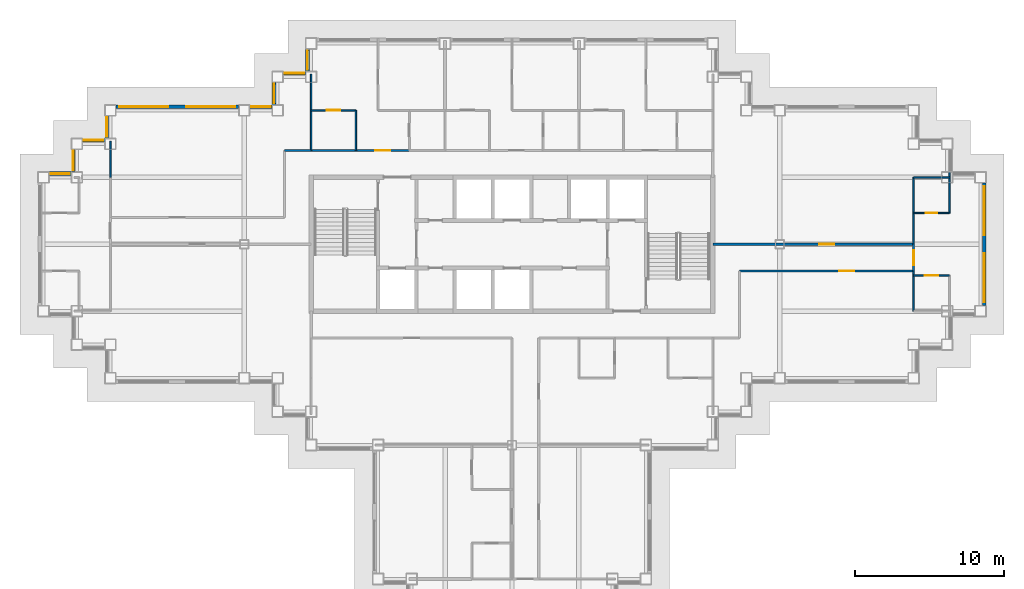
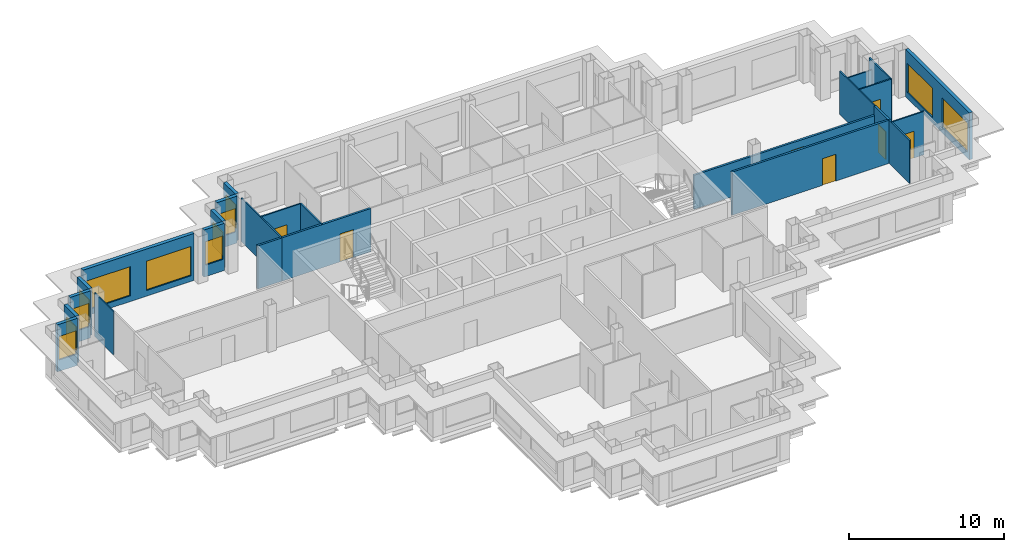
# One storey, part 7 of 13: 25 walls, 12 windows, 7 doors, 19 openings.
"""IFC4 building model written with IfcOpenShell, lengths in metres."""

from ifc_helpers import new_model, si_unit, direction, frame, frame_2d, origin, place, context, subcontext, project, spatial, rectangle, extrude, material, layer, layer_set, type_object, element, fill, save


model = new_model("IFC4")

# Units and contexts
model_context = context("Model", 3, precision=1e-05, world=origin(), true_north=direction((0.0, 1.0)))
body_context = subcontext(model_context, "Body", "Model", "MODEL_VIEW")
ifc_project = project(units=[si_unit("LENGTHUNIT", "METRE"), si_unit("AREAUNIT", "SQUARE_METRE"), si_unit("VOLUMEUNIT", "CUBIC_METRE"), si_unit("PLANEANGLEUNIT", "RADIAN"), si_unit("MASSUNIT", "GRAM", prefix="KILO")], contexts=[model_context])

# Site, building, storey
site_placement = place(None, origin())
site = spatial("IfcSite", under=ifc_project, at=site_placement, CompositionType="ELEMENT")
building_placement = place(site_placement, origin())
building = spatial("IfcBuilding", under=site, at=building_placement, Name="Caravel Reach Hotel and Residences", CompositionType="ELEMENT")
storey_placement = place(building_placement, frame((0.0, 0.0, 169.10009765625)))
storey = spatial("IfcBuildingStorey", under=building, at=storey_placement, Name="L42", CompositionType="ELEMENT", Elevation=169.10009765625)

# Wall, opening, door
ifc_material_1 = material(Name="Gypsum board on steel stud", Category="steel")
ifc_layer_1 = layer(ifc_material_1, 0.10009765625)
ifc_layer_set_1 = layer_set([ifc_layer_1], Name="Bathroom pod wall 100 mm")
wall_type_1 = type_object("IfcWallType", Name="Bathroom pod wall 100 mm", PredefinedType="PARTITIONING", material=ifc_layer_set_1)
wall_1_placement = place(storey_placement, frame((58.5, 29.10009765625, 0.0), z_axis=(0.0, 0.0, 1.0), x_axis=(1.0, 0.0, 0.0)))
wall_1 = element("IfcWall", 1, at=wall_1_placement, inside=storey, type_object=wall_type_1, Name="L42 wall w082", PredefinedType="PARTITIONING", context=body_context, shape_type="SweptSolid", body=[
    extrude(rectangle(XDim=2.39990234375, YDim=0.10009765625, at=frame_2d((1.199951171875, 0.0))), origin(), (0.0, 0.0, 1.0), 3.39990234375),
])
opening_1_placement = place(wall_1_placement, frame((0.800048828125, 0.0, 0.0)))
opening_1 = element("IfcOpeningElement", 2, at=opening_1_placement, cuts=wall_1, Name="Opening D42-044", PredefinedType="OPENING", context=body_context, shape_type="SweptSolid", body=[
    extrude(rectangle(XDim=0.800048828125, YDim=2.10009765625, at=frame_2d((0.39990234375, 1.050048828125))), frame((0.0, 0.06005859375, 0.0), z_axis=(0.0, -1.0, 0.0), x_axis=(1.0, 0.0, 0.0)), (0.0, 0.0, 1.0), 0.1201171875),
])
ifc_material_2 = material(Name="Timber and steel door leaf", Category="steel")
door_type_1 = type_object("IfcDoorType", Name="Bathroom door 800 x 2100", OperationType="SINGLE_SWING_LEFT", PredefinedType="DOOR", material=ifc_material_2)
door_1_placement = place(opening_1_placement, origin())
door_1 = element("IfcDoor", 3, at=door_1_placement, inside=storey, type_object=door_type_1, Name="door D42-044", OperationType="SINGLE_SWING_RIGHT", OverallHeight=2.10009765625, OverallWidth=0.800048828125, PredefinedType="DOOR", context=body_context, shape_type="SweptSolid", body=[
    extrude(rectangle(XDim=0.800048828125, YDim=2.10009765625, at=frame_2d((0.39990234375, 1.050048828125))), frame((0.0, 0.02490234375, 0.0), z_axis=(0.0, -1.0, 0.0), x_axis=(1.0, 0.0, 0.0)), (0.0, 0.0, 1.0), 0.050048828125),
])
fill(opening_1, door_1)

# Wall
wall_2_placement = place(storey_placement, frame((60.89990234375, 29.10009765625, 0.0), z_axis=(0.0, 0.0, 1.0), x_axis=(0.0, 1.0, 0.0)))
element("IfcWall", 4, at=wall_2_placement, inside=storey, type_object=wall_type_1, Name="L42 wall w104", PredefinedType="PARTITIONING", context=body_context, shape_type="SweptSolid", body=[
    extrude(rectangle(XDim=2.77490234375, YDim=0.10009765625, at=frame_2d((1.387451171875, 0.0))), origin(), (0.0, 0.0, 1.0), 3.39990234375),
])

# Wall, opening, door
ifc_material_3 = material(Name="Gypsum board on steel stud, fire-rated", Category="steel")
ifc_layer_2 = layer(ifc_material_3, 0.14990234375)
ifc_layer_set_2 = layer_set([ifc_layer_2], Name="Corridor wall 150 mm EI 60")
wall_type_2 = type_object("IfcWallType", Name="Corridor wall 150 mm EI 60", PredefinedType="PARTITIONING", material=ifc_layer_set_2)
wall_3_placement = place(storey_placement, frame((46.801025390625, 25.199951171875, 0.0), z_axis=(0.0, 0.0, 1.0), x_axis=(1.0, 0.0, 0.0)))
wall_3 = element("IfcWall", 5, at=wall_3_placement, inside=storey, type_object=wall_type_2, Name="L42 wall w006", PredefinedType="PARTITIONING", context=body_context, shape_type="SweptSolid", body=[
    extrude(rectangle(XDim=11.698974609375, YDim=0.14990234375, at=frame_2d((5.849609375, 0.0))), origin(), (0.0, 0.0, 1.0), 3.39990234375),
])
opening_2_placement = place(wall_3_placement, frame((6.697998046875, 0.0, 0.0)))
opening_2 = element("IfcOpeningElement", 6, at=opening_2_placement, cuts=wall_3, Name="Opening D42-031", PredefinedType="OPENING", context=body_context, shape_type="SweptSolid", body=[
    extrude(rectangle(XDim=1.0, YDim=2.10009765625, at=frame_2d((0.5, 1.050048828125))), frame((0.0, 0.0849609375, 0.0), z_axis=(0.0, -1.0, 0.0), x_axis=(1.0, 0.0, 0.0)), (0.0, 0.0, 1.0), 0.169921875),
])
ifc_material_4 = material(Name="Steel fire door leaf", Category="steel")
door_type_2 = type_object("IfcDoorType", Name="Fire door 1000 x 2100 EI 60", OperationType="SINGLE_SWING_LEFT", PredefinedType="DOOR", material=ifc_material_4)
door_2_placement = place(opening_2_placement, origin())
door_2 = element("IfcDoor", 7, at=door_2_placement, inside=storey, type_object=door_type_2, Name="door D42-031", OperationType="SINGLE_SWING_RIGHT", OverallHeight=2.10009765625, OverallWidth=1.0, PredefinedType="DOOR", context=body_context, shape_type="SweptSolid", body=[
    extrude(rectangle(XDim=1.0, YDim=2.10009765625, at=frame_2d((0.5, 1.050048828125))), frame((0.0, 0.02490234375, 0.0), z_axis=(0.0, -1.0, 0.0), x_axis=(1.0, 0.0, 0.0)), (0.0, 0.0, 1.0), 0.050048828125),
])
fill(opening_2, door_2)

wall_4_placement = place(storey_placement, frame((45.0, 27.0, 0.0), z_axis=(0.0, 0.0, 1.0), x_axis=(1.0, 0.0, 0.0)))
wall_4 = element("IfcWall", 8, at=wall_4_placement, inside=storey, type_object=wall_type_2, Name="L42 wall w009", PredefinedType="PARTITIONING", context=body_context, shape_type="SweptSolid", body=[
    extrude(rectangle(XDim=13.5, YDim=0.14990234375, at=frame_2d((6.75, 0.0))), origin(), (0.0, 0.0, 1.0), 2.679931640625),
])
opening_3_placement = place(wall_4_placement, frame((7.14990234375, 0.0, 0.0)))
opening_3 = element("IfcOpeningElement", 9, at=opening_3_placement, cuts=wall_4, Name="Opening D42-030", PredefinedType="OPENING", context=body_context, shape_type="SweptSolid", body=[
    extrude(rectangle(XDim=1.0, YDim=2.10009765625, at=frame_2d((0.5, 1.050048828125))), frame((0.0, 0.0849609375, 0.0), z_axis=(0.0, -1.0, 0.0), x_axis=(1.0, 0.0, 0.0)), (0.0, 0.0, 1.0), 0.169921875),
])
door_3_placement = place(opening_3_placement, origin())
door_3 = element("IfcDoor", 10, at=door_3_placement, inside=storey, type_object=door_type_2, Name="door D42-030", OperationType="SINGLE_SWING_RIGHT", OverallHeight=2.10009765625, OverallWidth=1.0, PredefinedType="DOOR", context=body_context, shape_type="SweptSolid", body=[
    extrude(rectangle(XDim=1.0, YDim=2.10009765625, at=frame_2d((0.5, 1.050048828125))), frame((0.0, 0.02490234375, 0.0), z_axis=(0.0, -1.0, 0.0), x_axis=(1.0, 0.0, 0.0)), (0.0, 0.0, 1.0), 0.050048828125),
])
fill(opening_3, door_3)

wall_5_placement = place(storey_placement, frame((18.0, 33.300048828125, 0.0), z_axis=(0.0, 0.0, 1.0), x_axis=(1.0, 0.0, 0.0)))
wall_5 = element("IfcWall", 11, at=wall_5_placement, inside=storey, type_object=wall_type_2, Name="L42 wall w013", PredefinedType="PARTITIONING", context=body_context, shape_type="SweptSolid", body=[
    extrude(rectangle(XDim=6.60009765625, YDim=0.14990234375, at=frame_2d((3.300048828125, 0.0))), origin(), (0.0, 0.0, 1.0), 3.39990234375),
])
opening_4_placement = place(wall_5_placement, frame((4.300048828125, 0.0, 0.0)))
opening_4 = element("IfcOpeningElement", 12, at=opening_4_placement, cuts=wall_5, Name="Opening D42-016", PredefinedType="OPENING", context=body_context, shape_type="SweptSolid", body=[
    extrude(rectangle(XDim=1.0, YDim=2.199951171875, at=frame_2d((0.5, 1.10009765625))), frame((0.0, 0.0849609375, 0.0), z_axis=(0.0, -1.0, 0.0), x_axis=(1.0, 0.0, 0.0)), (0.0, 0.0, 1.0), 0.169921875),
])
ifc_material_5 = material(Name="Steel fire door leaf", Category="steel")
door_type_3 = type_object("IfcDoorType", Name="Flat entrance door 1000 x 2200 EI 60", OperationType="SINGLE_SWING_LEFT", PredefinedType="DOOR", material=ifc_material_5)
door_4_placement = place(opening_4_placement, origin())
door_4 = element("IfcDoor", 13, at=door_4_placement, inside=storey, type_object=door_type_3, Name="door D42-016", OperationType="SINGLE_SWING_LEFT", OverallHeight=2.199951171875, OverallWidth=1.0, PredefinedType="DOOR", context=body_context, shape_type="SweptSolid", body=[
    extrude(rectangle(XDim=1.0, YDim=2.199951171875, at=frame_2d((0.5, 1.10009765625))), frame((0.0, 0.02490234375, 0.0), z_axis=(0.0, -1.0, 0.0), x_axis=(1.0, 0.0, 0.0)), (0.0, 0.0, 1.0), 0.050048828125),
])
fill(opening_4, door_4)

# Wall
wall_6_placement = place(storey_placement, frame((16.199951171875, 33.300048828125, 0.0), z_axis=(0.0, 0.0, 1.0), x_axis=(1.0, 0.0, 0.0)))
element("IfcWall", 14, at=wall_6_placement, inside=storey, type_object=wall_type_2, Name="L42 wall w018", PredefinedType="PARTITIONING", context=body_context, shape_type="SweptSolid", body=[
    extrude(rectangle(XDim=1.799072265625, YDim=0.14990234375, at=frame_2d((0.8994140625, 0.0))), origin(), (0.0, 0.0, 1.0), 3.39990234375),
])

# Wall, opening, door
wall_7_placement = place(storey_placement, frame((58.5, 25.199951171875, 0.0), z_axis=(0.0, 0.0, 1.0), x_axis=(0.0, 1.0, 0.0)))
wall_7 = element("IfcWall", 15, at=wall_7_placement, inside=storey, type_object=wall_type_2, Name="L42 wall w030", PredefinedType="PARTITIONING", context=body_context, shape_type="SweptSolid", body=[
    extrude(rectangle(XDim=1.800048828125, YDim=0.14990234375, at=frame_2d((0.89990234375, 0.0))), origin(), (0.0, 0.0, 1.0), 3.39990234375),
])
opening_5_placement = place(wall_7_placement, frame((0.39990234375, 0.0, 0.0)))
opening_5 = element("IfcOpeningElement", 16, at=opening_5_placement, cuts=wall_7, Name="Opening D42-043", PredefinedType="OPENING", context=body_context, shape_type="SweptSolid", body=[
    extrude(rectangle(XDim=1.0, YDim=2.199951171875, at=frame_2d((0.5, 1.10009765625))), frame((0.0, 0.0849609375, 0.0), z_axis=(0.0, -1.0, 0.0), x_axis=(1.0, 0.0, 0.0)), (0.0, 0.0, 1.0), 0.169921875),
])
door_5_placement = place(opening_5_placement, origin())
door_5 = element("IfcDoor", 17, at=door_5_placement, inside=storey, type_object=door_type_3, Name="door D42-043", OperationType="SINGLE_SWING_RIGHT", OverallHeight=2.199951171875, OverallWidth=1.0, PredefinedType="DOOR", context=body_context, shape_type="SweptSolid", body=[
    extrude(rectangle(XDim=1.0, YDim=2.199951171875, at=frame_2d((0.5, 1.10009765625))), frame((0.0, 0.02490234375, 0.0), z_axis=(0.0, -1.0, 0.0), x_axis=(1.0, 0.0, 0.0)), (0.0, 0.0, 1.0), 0.050048828125),
])
fill(opening_5, door_5)

# Wall, openings, windows
ifc_material_6 = material(Name="Insulated rainscreen wall, aluminium cladding", Category="aluminium")
ifc_layer_3 = layer(ifc_material_6, 0.25)
ifc_layer_set_3 = layer_set([ifc_layer_3], Name="EW1 Tower rainscreen wall")
wall_type_3 = type_object("IfcWallType", Name="EW1 Tower rainscreen wall", PredefinedType="SOLIDWALL", material=ifc_layer_set_3)
wall_8_placement = place(storey_placement, frame((63.25, 22.875, 0.0), z_axis=(0.0, 0.0, 1.0), x_axis=(0.0, 1.0, 0.0)))
wall_8 = element("IfcWall", 18, at=wall_8_placement, inside=storey, type_object=wall_type_3, Name="External wall L42 E20.1", PredefinedType="SOLIDWALL", context=body_context, shape_type="SweptSolid", body=[
    extrude(rectangle(XDim=8.25, YDim=0.25, at=frame_2d((4.125, 0.0))), origin(), (0.0, 0.0, 1.0), 3.699951171875),
])
opening_6_placement = place(wall_8_placement, frame((0.22509765625, 0.0, 0.449951171875)))
opening_6 = element("IfcOpeningElement", 19, at=opening_6_placement, cuts=wall_8, Name="Opening WN15", PredefinedType="OPENING", context=body_context, shape_type="SweptSolid", body=[
    extrude(rectangle(XDim=3.300048828125, YDim=2.300048828125, at=frame_2d((1.64990234375, 1.14990234375))), frame((0.0, 0.135009765625, 0.0), z_axis=(0.0, -1.0, 0.0), x_axis=(1.0, 0.0, 0.0)), (0.0, 0.0, 1.0), 0.27001953125),
])
opening_7_placement = place(wall_8_placement, frame((4.72509765625, 0.0, 0.449951171875)))
opening_7 = element("IfcOpeningElement", 20, at=opening_7_placement, cuts=wall_8, Name="Opening WN15", PredefinedType="OPENING", context=body_context, shape_type="SweptSolid", body=[
    extrude(rectangle(XDim=3.300048828125, YDim=2.300048828125, at=frame_2d((1.64990234375, 1.14990234375))), frame((0.0, 0.135009765625, 0.0), z_axis=(0.0, -1.0, 0.0), x_axis=(1.0, 0.0, 0.0)), (0.0, 0.0, 1.0), 0.27001953125),
])
ifc_material_7 = material(Name="Dark low-e glazing in black aluminium frame", Category="aluminium")
window_type_1 = type_object("IfcWindowType", Name="Residence living window 3300 x 2300", PartitioningType="SINGLE_PANEL", PredefinedType="WINDOW", material=ifc_material_7)
window_1_placement = place(opening_6_placement, origin())
window_1 = element("IfcWindow", 21, at=window_1_placement, inside=storey, type_object=window_type_1, Name="Window L42 E20.1.1", OverallHeight=2.300048828125, OverallWidth=3.300048828125, PartitioningType="SINGLE_PANEL", PredefinedType="WINDOW", context=body_context, shape_type="SweptSolid", body=[
    extrude(rectangle(XDim=3.300048828125, YDim=2.300048828125, at=frame_2d((1.64990234375, 1.14990234375))), frame((0.0, 0.030029296875, 0.0), z_axis=(0.0, -1.0, 0.0), x_axis=(1.0, 0.0, 0.0)), (0.0, 0.0, 1.0), 0.06005859375),
])
fill(opening_6, window_1)
window_2_placement = place(opening_7_placement, origin())
window_2 = element("IfcWindow", 22, at=window_2_placement, inside=storey, type_object=window_type_1, Name="Window L42 E20.1.2", OverallHeight=2.300048828125, OverallWidth=3.300048828125, PartitioningType="SINGLE_PANEL", PredefinedType="WINDOW", context=body_context, shape_type="SweptSolid", body=[
    extrude(rectangle(XDim=3.300048828125, YDim=2.300048828125, at=frame_2d((1.64990234375, 1.14990234375))), frame((0.0, 0.030029296875, 0.0), z_axis=(0.0, -1.0, 0.0), x_axis=(1.0, 0.0, 0.0)), (0.0, 0.0, 1.0), 0.06005859375),
])
fill(opening_7, window_2)

# Wall, opening, window
wall_9_placement = place(storey_placement, frame((17.75, 40.125, 0.0), z_axis=(0.0, 0.0, 1.0), x_axis=(0.0, -1.0, 0.0)))
wall_9 = element("IfcWall", 23, at=wall_9_placement, inside=storey, type_object=wall_type_3, Name="External wall L42 W30.1", PredefinedType="SOLIDWALL", context=body_context, shape_type="SweptSolid", body=[
    extrude(rectangle(XDim=1.5, YDim=0.25, at=frame_2d((0.75, 0.0))), origin(), (0.0, 0.0, 1.0), 3.699951171875),
])
opening_8_placement = place(wall_9_placement, frame((0.10009765625, 0.0, 0.89990234375)))
opening_8 = element("IfcOpeningElement", 24, at=opening_8_placement, cuts=wall_9, Name="Opening WN16", PredefinedType="OPENING", context=body_context, shape_type="SweptSolid", body=[
    extrude(rectangle(XDim=1.300048828125, YDim=1.85009765625, at=frame_2d((0.64990234375, 0.925048828125))), frame((0.0, 0.135009765625, 0.0), z_axis=(0.0, -1.0, 0.0), x_axis=(1.0, 0.0, 0.0)), (0.0, 0.0, 1.0), 0.27001953125),
])
ifc_material_8 = material(Name="Dark low-e glazing in black aluminium frame", Category="aluminium")
window_type_2 = type_object("IfcWindowType", Name="Residence bedroom window 1300 x 1850", PartitioningType="SINGLE_PANEL", PredefinedType="WINDOW", material=ifc_material_8)
window_3_placement = place(opening_8_placement, origin())
window_3 = element("IfcWindow", 25, at=window_3_placement, inside=storey, type_object=window_type_2, Name="Window L42 W30.1.1", OverallHeight=1.85009765625, OverallWidth=1.300048828125, PartitioningType="SINGLE_PANEL", PredefinedType="WINDOW", context=body_context, shape_type="SweptSolid", body=[
    extrude(rectangle(XDim=1.300048828125, YDim=1.85009765625, at=frame_2d((0.64990234375, 0.925048828125))), frame((0.0, 0.030029296875, 0.0), z_axis=(0.0, -1.0, 0.0), x_axis=(1.0, 0.0, 0.0)), (0.0, 0.0, 1.0), 0.06005859375),
])
fill(opening_8, window_3)

wall_10_placement = place(storey_placement, frame((17.625, 38.5, 0.0), z_axis=(0.0, 0.0, 1.0), x_axis=(-1.0, 0.0, 0.0)))
wall_10 = element("IfcWall", 26, at=wall_10_placement, inside=storey, type_object=wall_type_3, Name="External wall L42 N31.1", PredefinedType="SOLIDWALL", context=body_context, shape_type="SweptSolid", body=[
    extrude(rectangle(XDim=1.5, YDim=0.25, at=frame_2d((0.75, 0.0))), origin(), (0.0, 0.0, 1.0), 3.699951171875),
])
opening_9_placement = place(wall_10_placement, frame((0.10009765625, 0.0, 0.89990234375)))
opening_9 = element("IfcOpeningElement", 27, at=opening_9_placement, cuts=wall_10, Name="Opening WN16", PredefinedType="OPENING", context=body_context, shape_type="SweptSolid", body=[
    extrude(rectangle(XDim=1.300048828125, YDim=1.85009765625, at=frame_2d((0.64990234375, 0.925048828125))), frame((0.0, 0.135009765625, 0.0), z_axis=(0.0, -1.0, 0.0), x_axis=(1.0, 0.0, 0.0)), (0.0, 0.0, 1.0), 0.27001953125),
])
window_4_placement = place(opening_9_placement, origin())
window_4 = element("IfcWindow", 28, at=window_4_placement, inside=storey, type_object=window_type_2, Name="Window L42 N31.1.1", OverallHeight=1.85009765625, OverallWidth=1.300048828125, PartitioningType="SINGLE_PANEL", PredefinedType="WINDOW", context=body_context, shape_type="SweptSolid", body=[
    extrude(rectangle(XDim=1.300048828125, YDim=1.85009765625, at=frame_2d((0.64990234375, 0.925048828125))), frame((0.0, 0.030029296875, 0.0), z_axis=(0.0, -1.0, 0.0), x_axis=(1.0, 0.0, 0.0)), (0.0, 0.0, 1.0), 0.06005859375),
])
fill(opening_9, window_4)

wall_11_placement = place(storey_placement, frame((15.5, 37.875, 0.0), z_axis=(0.0, 0.0, 1.0), x_axis=(0.0, -1.0, 0.0)))
wall_11 = element("IfcWall", 29, at=wall_11_placement, inside=storey, type_object=wall_type_3, Name="External wall L42 W32.1", PredefinedType="SOLIDWALL", context=body_context, shape_type="SweptSolid", body=[
    extrude(rectangle(XDim=1.5, YDim=0.25, at=frame_2d((0.75, 0.0))), origin(), (0.0, 0.0, 1.0), 3.699951171875),
])
opening_10_placement = place(wall_11_placement, frame((0.10009765625, 0.0, 0.89990234375)))
opening_10 = element("IfcOpeningElement", 30, at=opening_10_placement, cuts=wall_11, Name="Opening WN16", PredefinedType="OPENING", context=body_context, shape_type="SweptSolid", body=[
    extrude(rectangle(XDim=1.300048828125, YDim=1.85009765625, at=frame_2d((0.64990234375, 0.925048828125))), frame((0.0, 0.135009765625, 0.0), z_axis=(0.0, -1.0, 0.0), x_axis=(1.0, 0.0, 0.0)), (0.0, 0.0, 1.0), 0.27001953125),
])
window_5_placement = place(opening_10_placement, origin())
window_5 = element("IfcWindow", 31, at=window_5_placement, inside=storey, type_object=window_type_2, Name="Window L42 W32.1.1", OverallHeight=1.85009765625, OverallWidth=1.300048828125, PartitioningType="SINGLE_PANEL", PredefinedType="WINDOW", context=body_context, shape_type="SweptSolid", body=[
    extrude(rectangle(XDim=1.300048828125, YDim=1.85009765625, at=frame_2d((0.64990234375, 0.925048828125))), frame((0.0, 0.030029296875, 0.0), z_axis=(0.0, -1.0, 0.0), x_axis=(1.0, 0.0, 0.0)), (0.0, 0.0, 1.0), 0.06005859375),
])
fill(opening_10, window_5)

wall_12_placement = place(storey_placement, frame((15.375, 36.25, 0.0), z_axis=(0.0, 0.0, 1.0), x_axis=(-1.0, 0.0, 0.0)))
wall_12 = element("IfcWall", 32, at=wall_12_placement, inside=storey, type_object=wall_type_3, Name="External wall L42 N33.1", PredefinedType="SOLIDWALL", context=body_context, shape_type="SweptSolid", body=[
    extrude(rectangle(XDim=1.5, YDim=0.25, at=frame_2d((0.75, 0.0))), origin(), (0.0, 0.0, 1.0), 3.699951171875),
])
opening_11_placement = place(wall_12_placement, frame((0.10009765625, 0.0, 0.89990234375)))
opening_11 = element("IfcOpeningElement", 33, at=opening_11_placement, cuts=wall_12, Name="Opening WN16", PredefinedType="OPENING", context=body_context, shape_type="SweptSolid", body=[
    extrude(rectangle(XDim=1.300048828125, YDim=1.85009765625, at=frame_2d((0.64990234375, 0.925048828125))), frame((0.0, 0.135009765625, 0.0), z_axis=(0.0, -1.0, 0.0), x_axis=(1.0, 0.0, 0.0)), (0.0, 0.0, 1.0), 0.27001953125),
])
window_6_placement = place(opening_11_placement, origin())
window_6 = element("IfcWindow", 34, at=window_6_placement, inside=storey, type_object=window_type_2, Name="Window L42 N33.1.1", OverallHeight=1.85009765625, OverallWidth=1.300048828125, PartitioningType="SINGLE_PANEL", PredefinedType="WINDOW", context=body_context, shape_type="SweptSolid", body=[
    extrude(rectangle(XDim=1.300048828125, YDim=1.85009765625, at=frame_2d((0.64990234375, 0.925048828125))), frame((0.0, 0.030029296875, 0.0), z_axis=(0.0, -1.0, 0.0), x_axis=(1.0, 0.0, 0.0)), (0.0, 0.0, 1.0), 0.06005859375),
])
fill(opening_11, window_6)

# Wall, openings, windows
wall_13_placement = place(storey_placement, frame((13.125, 36.25, 0.0), z_axis=(0.0, 0.0, 1.0), x_axis=(-1.0, 0.0, 0.0)))
wall_13 = element("IfcWall", 35, at=wall_13_placement, inside=storey, type_object=wall_type_3, Name="External wall L42 N33.2", PredefinedType="SOLIDWALL", context=body_context, shape_type="SweptSolid", body=[
    extrude(rectangle(XDim=8.25, YDim=0.25, at=frame_2d((4.125, 0.0))), origin(), (0.0, 0.0, 1.0), 3.699951171875),
])
opening_12_placement = place(wall_13_placement, frame((0.22509765625, 0.0, 0.449951171875)))
opening_12 = element("IfcOpeningElement", 36, at=opening_12_placement, cuts=wall_13, Name="Opening WN15", PredefinedType="OPENING", context=body_context, shape_type="SweptSolid", body=[
    extrude(rectangle(XDim=3.300048828125, YDim=2.300048828125, at=frame_2d((1.64990234375, 1.14990234375))), frame((0.0, 0.135009765625, 0.0), z_axis=(0.0, -1.0, 0.0), x_axis=(1.0, 0.0, 0.0)), (0.0, 0.0, 1.0), 0.27001953125),
])
opening_13_placement = place(wall_13_placement, frame((4.72509765625, 0.0, 0.449951171875)))
opening_13 = element("IfcOpeningElement", 37, at=opening_13_placement, cuts=wall_13, Name="Opening WN15", PredefinedType="OPENING", context=body_context, shape_type="SweptSolid", body=[
    extrude(rectangle(XDim=3.300048828125, YDim=2.300048828125, at=frame_2d((1.64990234375, 1.14990234375))), frame((0.0, 0.135009765625, 0.0), z_axis=(0.0, -1.0, 0.0), x_axis=(1.0, 0.0, 0.0)), (0.0, 0.0, 1.0), 0.27001953125),
])
window_7_placement = place(opening_12_placement, origin())
window_7 = element("IfcWindow", 38, at=window_7_placement, inside=storey, type_object=window_type_1, Name="Window L42 N33.2.1", OverallHeight=2.300048828125, OverallWidth=3.300048828125, PartitioningType="SINGLE_PANEL", PredefinedType="WINDOW", context=body_context, shape_type="SweptSolid", body=[
    extrude(rectangle(XDim=3.300048828125, YDim=2.300048828125, at=frame_2d((1.64990234375, 1.14990234375))), frame((0.0, 0.030029296875, 0.0), z_axis=(0.0, -1.0, 0.0), x_axis=(1.0, 0.0, 0.0)), (0.0, 0.0, 1.0), 0.06005859375),
])
fill(opening_12, window_7)
window_8_placement = place(opening_13_placement, origin())
window_8 = element("IfcWindow", 39, at=window_8_placement, inside=storey, type_object=window_type_1, Name="Window L42 N33.2.2", OverallHeight=2.300048828125, OverallWidth=3.300048828125, PartitioningType="SINGLE_PANEL", PredefinedType="WINDOW", context=body_context, shape_type="SweptSolid", body=[
    extrude(rectangle(XDim=3.300048828125, YDim=2.300048828125, at=frame_2d((1.64990234375, 1.14990234375))), frame((0.0, 0.030029296875, 0.0), z_axis=(0.0, -1.0, 0.0), x_axis=(1.0, 0.0, 0.0)), (0.0, 0.0, 1.0), 0.06005859375),
])
fill(opening_13, window_8)

# Wall, opening, window
wall_14_placement = place(storey_placement, frame((4.25, 35.625, 0.0), z_axis=(0.0, 0.0, 1.0), x_axis=(0.0, -1.0, 0.0)))
wall_14 = element("IfcWall", 40, at=wall_14_placement, inside=storey, type_object=wall_type_3, Name="External wall L42 W34.1", PredefinedType="SOLIDWALL", context=body_context, shape_type="SweptSolid", body=[
    extrude(rectangle(XDim=1.5, YDim=0.25, at=frame_2d((0.75, 0.0))), origin(), (0.0, 0.0, 1.0), 3.699951171875),
])
opening_14_placement = place(wall_14_placement, frame((0.10009765625, 0.0, 0.89990234375)))
opening_14 = element("IfcOpeningElement", 41, at=opening_14_placement, cuts=wall_14, Name="Opening WN16", PredefinedType="OPENING", context=body_context, shape_type="SweptSolid", body=[
    extrude(rectangle(XDim=1.300048828125, YDim=1.85009765625, at=frame_2d((0.64990234375, 0.925048828125))), frame((0.0, 0.135009765625, 0.0), z_axis=(0.0, -1.0, 0.0), x_axis=(1.0, 0.0, 0.0)), (0.0, 0.0, 1.0), 0.27001953125),
])
window_9_placement = place(opening_14_placement, origin())
window_9 = element("IfcWindow", 42, at=window_9_placement, inside=storey, type_object=window_type_2, Name="Window L42 W34.1.1", OverallHeight=1.85009765625, OverallWidth=1.300048828125, PartitioningType="SINGLE_PANEL", PredefinedType="WINDOW", context=body_context, shape_type="SweptSolid", body=[
    extrude(rectangle(XDim=1.300048828125, YDim=1.85009765625, at=frame_2d((0.64990234375, 0.925048828125))), frame((0.0, 0.030029296875, 0.0), z_axis=(0.0, -1.0, 0.0), x_axis=(1.0, 0.0, 0.0)), (0.0, 0.0, 1.0), 0.06005859375),
])
fill(opening_14, window_9)

wall_15_placement = place(storey_placement, frame((4.125, 34.0, 0.0), z_axis=(0.0, 0.0, 1.0), x_axis=(-1.0, 0.0, 0.0)))
wall_15 = element("IfcWall", 43, at=wall_15_placement, inside=storey, type_object=wall_type_3, Name="External wall L42 N35.1", PredefinedType="SOLIDWALL", context=body_context, shape_type="SweptSolid", body=[
    extrude(rectangle(XDim=1.5, YDim=0.25, at=frame_2d((0.75, 0.0))), origin(), (0.0, 0.0, 1.0), 3.699951171875),
])
opening_15_placement = place(wall_15_placement, frame((0.10009765625, 0.0, 0.89990234375)))
opening_15 = element("IfcOpeningElement", 44, at=opening_15_placement, cuts=wall_15, Name="Opening WN16", PredefinedType="OPENING", context=body_context, shape_type="SweptSolid", body=[
    extrude(rectangle(XDim=1.300048828125, YDim=1.85009765625, at=frame_2d((0.64990234375, 0.925048828125))), frame((0.0, 0.135009765625, 0.0), z_axis=(0.0, -1.0, 0.0), x_axis=(1.0, 0.0, 0.0)), (0.0, 0.0, 1.0), 0.27001953125),
])
window_10_placement = place(opening_15_placement, origin())
window_10 = element("IfcWindow", 45, at=window_10_placement, inside=storey, type_object=window_type_2, Name="Window L42 N35.1.1", OverallHeight=1.85009765625, OverallWidth=1.300048828125, PartitioningType="SINGLE_PANEL", PredefinedType="WINDOW", context=body_context, shape_type="SweptSolid", body=[
    extrude(rectangle(XDim=1.300048828125, YDim=1.85009765625, at=frame_2d((0.64990234375, 0.925048828125))), frame((0.0, 0.030029296875, 0.0), z_axis=(0.0, -1.0, 0.0), x_axis=(1.0, 0.0, 0.0)), (0.0, 0.0, 1.0), 0.06005859375),
])
fill(opening_15, window_10)

wall_16_placement = place(storey_placement, frame((2.0, 33.375, 0.0), z_axis=(0.0, 0.0, 1.0), x_axis=(0.0, -1.0, 0.0)))
wall_16 = element("IfcWall", 46, at=wall_16_placement, inside=storey, type_object=wall_type_3, Name="External wall L42 W36.1", PredefinedType="SOLIDWALL", context=body_context, shape_type="SweptSolid", body=[
    extrude(rectangle(XDim=1.5, YDim=0.25, at=frame_2d((0.75, 0.0))), origin(), (0.0, 0.0, 1.0), 3.699951171875),
])
opening_16_placement = place(wall_16_placement, frame((0.10009765625, 0.0, 0.89990234375)))
opening_16 = element("IfcOpeningElement", 47, at=opening_16_placement, cuts=wall_16, Name="Opening WN16", PredefinedType="OPENING", context=body_context, shape_type="SweptSolid", body=[
    extrude(rectangle(XDim=1.300048828125, YDim=1.85009765625, at=frame_2d((0.64990234375, 0.925048828125))), frame((0.0, 0.135009765625, 0.0), z_axis=(0.0, -1.0, 0.0), x_axis=(1.0, 0.0, 0.0)), (0.0, 0.0, 1.0), 0.27001953125),
])
window_11_placement = place(opening_16_placement, origin())
window_11 = element("IfcWindow", 48, at=window_11_placement, inside=storey, type_object=window_type_2, Name="Window L42 W36.1.1", OverallHeight=1.85009765625, OverallWidth=1.300048828125, PartitioningType="SINGLE_PANEL", PredefinedType="WINDOW", context=body_context, shape_type="SweptSolid", body=[
    extrude(rectangle(XDim=1.300048828125, YDim=1.85009765625, at=frame_2d((0.64990234375, 0.925048828125))), frame((0.0, 0.030029296875, 0.0), z_axis=(0.0, -1.0, 0.0), x_axis=(1.0, 0.0, 0.0)), (0.0, 0.0, 1.0), 0.06005859375),
])
fill(opening_16, window_11)

wall_17_placement = place(storey_placement, frame((1.875, 31.75, 0.0), z_axis=(0.0, 0.0, 1.0), x_axis=(-1.0, 0.0, 0.0)))
wall_17 = element("IfcWall", 49, at=wall_17_placement, inside=storey, type_object=wall_type_3, Name="External wall L42 N37.1", PredefinedType="SOLIDWALL", context=body_context, shape_type="SweptSolid", body=[
    extrude(rectangle(XDim=1.5, YDim=0.25, at=frame_2d((0.75, 0.0))), origin(), (0.0, 0.0, 1.0), 3.699951171875),
])
opening_17_placement = place(wall_17_placement, frame((0.10009765625, 0.0, 0.89990234375)))
opening_17 = element("IfcOpeningElement", 50, at=opening_17_placement, cuts=wall_17, Name="Opening WN16", PredefinedType="OPENING", context=body_context, shape_type="SweptSolid", body=[
    extrude(rectangle(XDim=1.300048828125, YDim=1.85009765625, at=frame_2d((0.64990234375, 0.925048828125))), frame((0.0, 0.135009765625, 0.0), z_axis=(0.0, -1.0, 0.0), x_axis=(1.0, 0.0, 0.0)), (0.0, 0.0, 1.0), 0.27001953125),
])
window_12_placement = place(opening_17_placement, origin())
window_12 = element("IfcWindow", 51, at=window_12_placement, inside=storey, type_object=window_type_2, Name="Window L42 N37.1.1", OverallHeight=1.85009765625, OverallWidth=1.300048828125, PartitioningType="SINGLE_PANEL", PredefinedType="WINDOW", context=body_context, shape_type="SweptSolid", body=[
    extrude(rectangle(XDim=1.300048828125, YDim=1.85009765625, at=frame_2d((0.64990234375, 0.925048828125))), frame((0.0, 0.030029296875, 0.0), z_axis=(0.0, -1.0, 0.0), x_axis=(1.0, 0.0, 0.0)), (0.0, 0.0, 1.0), 0.06005859375),
])
fill(opening_17, window_12)

# Wall, opening, door
ifc_material_9 = material(Name="Gypsum board on steel stud", Category="steel")
ifc_layer_4 = layer(ifc_material_9, 0.10009765625)
ifc_layer_set_4 = layer_set([ifc_layer_4], Name="Partition 100 mm")
wall_type_4 = type_object("IfcWallType", Name="Partition 100 mm", PredefinedType="PARTITIONING", material=ifc_layer_set_4)
wall_18_placement = place(storey_placement, frame((58.5, 24.89990234375, 0.0), z_axis=(0.0, 0.0, 1.0), x_axis=(1.0, 0.0, 0.0)))
wall_18 = element("IfcWall", 52, at=wall_18_placement, inside=storey, type_object=wall_type_4, Name="L42 wall w040", PredefinedType="PARTITIONING", context=body_context, shape_type="SweptSolid", body=[
    extrude(rectangle(XDim=2.39990234375, YDim=0.10009765625, at=frame_2d((1.199951171875, 0.0))), origin(), (0.0, 0.0, 1.0), 3.39990234375),
])
opening_18_placement = place(wall_18_placement, frame((0.75, 0.0, 0.0)))
opening_18 = element("IfcOpeningElement", 53, at=opening_18_placement, cuts=wall_18, Name="Opening D42-045", PredefinedType="OPENING", context=body_context, shape_type="SweptSolid", body=[
    extrude(rectangle(XDim=0.89990234375, YDim=2.10009765625, at=frame_2d((0.449951171875, 1.050048828125))), frame((0.0, 0.06005859375, 0.0), z_axis=(0.0, -1.0, 0.0), x_axis=(1.0, 0.0, 0.0)), (0.0, 0.0, 1.0), 0.1201171875),
])
ifc_material_10 = material(Name="Timber and steel door leaf", Category="steel")
door_type_4 = type_object("IfcDoorType", Name="Door 900 x 2100 timber", OperationType="SINGLE_SWING_LEFT", PredefinedType="DOOR", material=ifc_material_10)
door_6_placement = place(opening_18_placement, origin())
door_6 = element("IfcDoor", 54, at=door_6_placement, inside=storey, type_object=door_type_4, Name="door D42-045", OperationType="SINGLE_SWING_LEFT", OverallHeight=2.10009765625, OverallWidth=0.89990234375, PredefinedType="DOOR", context=body_context, shape_type="SweptSolid", body=[
    extrude(rectangle(XDim=0.89990234375, YDim=2.10009765625, at=frame_2d((0.449951171875, 1.050048828125))), frame((0.0, 0.02490234375, 0.0), z_axis=(0.0, -1.0, 0.0), x_axis=(1.0, 0.0, 0.0)), (0.0, 0.0, 1.0), 0.050048828125),
])
fill(opening_18, door_6)

# Wall
wall_19_placement = place(storey_placement, frame((58.5009765625, 31.5, 0.0), z_axis=(0.0, 0.0, 1.0), x_axis=(1.0, 0.0, 0.0)))
element("IfcWall", 55, at=wall_19_placement, inside=storey, type_object=wall_type_4, Name="L42 wall w042", PredefinedType="PARTITIONING", context=body_context, shape_type="SweptSolid", body=[
    extrude(rectangle(XDim=2.43896484375, YDim=0.10009765625, at=frame_2d((1.219482421875, 0.0))), origin(), (0.0, 0.0, 1.0), 2.679931640625),
])

# Wall, opening, door
wall_20_placement = place(storey_placement, frame((18.0, 36.0, 0.0), z_axis=(0.0, 0.0, 1.0), x_axis=(1.0, 0.0, 0.0)))
wall_20 = element("IfcWall", 56, at=wall_20_placement, inside=storey, type_object=wall_type_4, Name="L42 wall w045", PredefinedType="PARTITIONING", context=body_context, shape_type="SweptSolid", body=[
    extrude(rectangle(XDim=3.0, YDim=0.10009765625, at=frame_2d((1.5, 0.0))), origin(), (0.0, 0.0, 1.0), 3.39990234375),
])
opening_19_placement = place(wall_20_placement, frame((1.050048828125, 0.0, 0.0)))
opening_19 = element("IfcOpeningElement", 57, at=opening_19_placement, cuts=wall_20, Name="Opening D42-017", PredefinedType="OPENING", context=body_context, shape_type="SweptSolid", body=[
    extrude(rectangle(XDim=0.89990234375, YDim=2.10009765625, at=frame_2d((0.449951171875, 1.050048828125))), frame((0.0, 0.06005859375, 0.0), z_axis=(0.0, -1.0, 0.0), x_axis=(1.0, 0.0, 0.0)), (0.0, 0.0, 1.0), 0.1201171875),
])
door_7_placement = place(opening_19_placement, origin())
door_7 = element("IfcDoor", 58, at=door_7_placement, inside=storey, type_object=door_type_4, Name="door D42-017", OperationType="SINGLE_SWING_RIGHT", OverallHeight=2.10009765625, OverallWidth=0.89990234375, PredefinedType="DOOR", context=body_context, shape_type="SweptSolid", body=[
    extrude(rectangle(XDim=0.89990234375, YDim=2.10009765625, at=frame_2d((0.449951171875, 1.050048828125))), frame((0.0, 0.02490234375, 0.0), z_axis=(0.0, -1.0, 0.0), x_axis=(1.0, 0.0, 0.0)), (0.0, 0.0, 1.0), 0.050048828125),
])
fill(opening_19, door_7)

# Walls
wall_21_placement = place(storey_placement, frame((18.0, 33.301025390625, 0.0), z_axis=(0.0, 0.0, 1.0), x_axis=(0.0, 1.0, 0.0)))
element("IfcWall", 59, at=wall_21_placement, inside=storey, type_object=wall_type_4, Name="L42 wall w052", PredefinedType="PARTITIONING", context=body_context, shape_type="SweptSolid", body=[
    extrude(rectangle(XDim=5.138916015625, YDim=0.10009765625, at=frame_2d((2.5693359375, 0.0))), origin(), (0.0, 0.0, 1.0), 3.39990234375),
])
wall_22_placement = place(storey_placement, frame((21.0, 33.300048828125, 0.0), z_axis=(0.0, 0.0, 1.0), x_axis=(0.0, 1.0, 0.0)))
element("IfcWall", 60, at=wall_22_placement, inside=storey, type_object=wall_type_4, Name="L42 wall w056", PredefinedType="PARTITIONING", context=body_context, shape_type="SweptSolid", body=[
    extrude(rectangle(XDim=2.699951171875, YDim=0.10009765625, at=frame_2d((1.35009765625, 0.0))), origin(), (0.0, 0.0, 1.0), 3.39990234375),
])
wall_23_placement = place(storey_placement, frame((4.5, 31.5009765625, 0.0), z_axis=(0.0, 0.0, 1.0), x_axis=(0.0, 1.0, 0.0)))
element("IfcWall", 61, at=wall_23_placement, inside=storey, type_object=wall_type_4, Name="L42 wall w065", PredefinedType="PARTITIONING", context=body_context, shape_type="SweptSolid", body=[
    extrude(rectangle(XDim=2.43896484375, YDim=0.10009765625, at=frame_2d((1.219482421875, 0.0))), origin(), (0.0, 0.0, 1.0), 3.39990234375),
])
wall_24_placement = place(storey_placement, frame((58.5, 27.0, 0.0), z_axis=(0.0, 0.0, 1.0), x_axis=(0.0, 1.0, 0.0)))
element("IfcWall", 62, at=wall_24_placement, inside=storey, type_object=wall_type_4, Name="L42 wall w072", PredefinedType="PARTITIONING", context=body_context, shape_type="SweptSolid", body=[
    extrude(rectangle(XDim=4.5, YDim=0.10009765625, at=frame_2d((2.25, 0.0))), origin(), (0.0, 0.0, 1.0), 3.39990234375),
])
wall_25_placement = place(storey_placement, frame((58.5, 22.5, 0.0), z_axis=(0.0, 0.0, 1.0), x_axis=(0.0, 1.0, 0.0)))
element("IfcWall", 63, at=wall_25_placement, inside=storey, type_object=wall_type_4, Name="L42 wall w073", PredefinedType="PARTITIONING", context=body_context, shape_type="SweptSolid", body=[
    extrude(rectangle(XDim=2.699951171875, YDim=0.10009765625, at=frame_2d((1.35009765625, 0.0))), origin(), (0.0, 0.0, 1.0), 3.39990234375),
])

save(model, "model.ifc")
